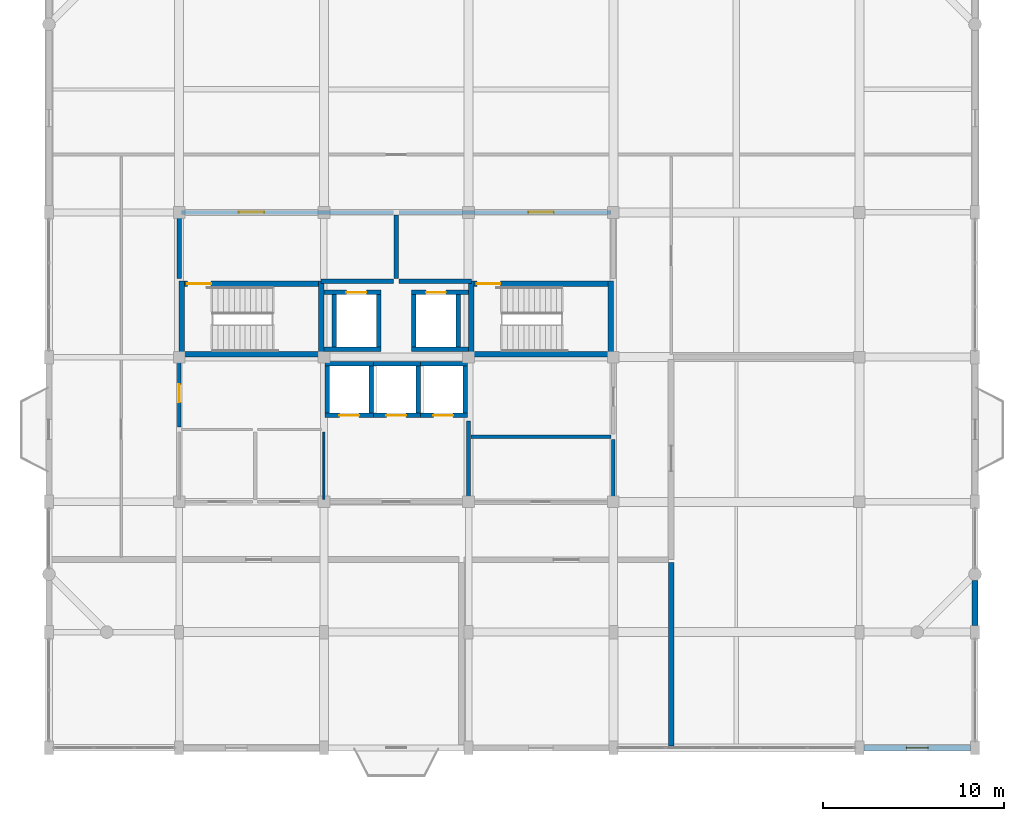
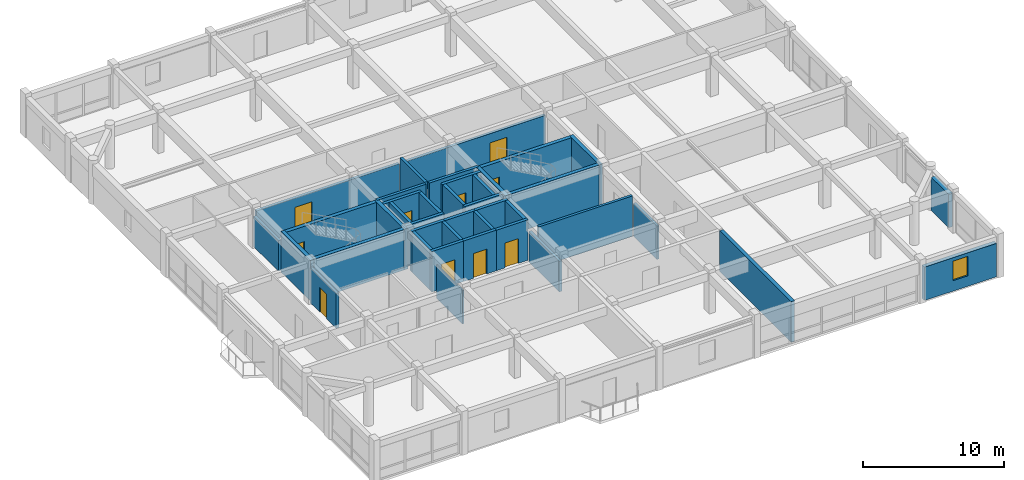
# One storey, part 11 of 13: 40 walls, 10 doors, 1 window, 11 openings.
"""IFC4 building model written with IfcOpenShell, lengths in metres."""

from ifc_helpers import new_model, si_unit, direction, frame, frame_2d, origin, place, context, subcontext, project, spatial, rectangle, extrude, material, layer, layer_set, type_object, element, fill, save


model = new_model("IFC4")

# Units and contexts
model_context = context("Model", 3, precision=1e-05, world=origin(), true_north=direction((0.0, 1.0)))
body_context = subcontext(model_context, "Body", "Model", "MODEL_VIEW")
ifc_project = project(units=[si_unit("LENGTHUNIT", "METRE"), si_unit("AREAUNIT", "SQUARE_METRE"), si_unit("VOLUMEUNIT", "CUBIC_METRE"), si_unit("PLANEANGLEUNIT", "RADIAN"), si_unit("MASSUNIT", "GRAM", prefix="KILO")], contexts=[model_context])

# Site, building, storey
site_placement = place(None, origin())
site = spatial("IfcSite", under=ifc_project, at=site_placement, CompositionType="ELEMENT")
building_placement = place(site_placement, origin())
building = spatial("IfcBuilding", under=site, at=building_placement, Name="Vellmiral Cinema and Media Centre", CompositionType="ELEMENT")
storey_placement = place(building_placement, frame((0.0, 0.0, 43.300048828125)))
storey = spatial("IfcBuildingStorey", under=building, at=storey_placement, Name="L10", CompositionType="ELEMENT", Elevation=43.300048828125)

# Wall
ifc_material_1 = material(Name="Calcium-Silicate Masonry Blockwork", Category="masonry")
ifc_layer_1 = layer(ifc_material_1, 0.10009765625, Name="Calcium-Silicate Masonry Blockwork", Category="masonry")
ifc_material_2 = material(Name="Mineral Wool Acoustic Insulation", Category="insulation")
ifc_layer_2 = layer(ifc_material_2, 0.090087890625, Name="Mineral Wool Acoustic Insulation", Category="insulation")
ifc_layer_3 = layer(ifc_material_1, 0.10009765625, Name="Calcium-Silicate Masonry Blockwork", Category="masonry")
ifc_layer_set_1 = layer_set([ifc_layer_1, ifc_layer_2, ifc_layer_3], Name="Calcium-Silicate Masonry Blockwork")
wall_type_1 = type_object("IfcWallType", Name="WL-AC-290", PredefinedType="SOLIDWALL", material=ifc_layer_set_1)
wall_1_placement = place(storey_placement, frame((151.199951171875, 65.695068359375, 0.0), z_axis=(0.0, 0.0, 1.0), x_axis=(0.0, 1.0, 0.0)))
element("IfcWall", 1, at=wall_1_placement, inside=storey, type_object=wall_type_1, Name="Podcast Recording Studio South Wall E", PredefinedType="SOLIDWALL", context=body_context, shape_type="SweptSolid", body=[
    extrude(rectangle(XDim=10.1650390625, YDim=0.2900390625, at=frame_2d((5.08251953125, 0.0))), origin(), (0.0, 0.0, 1.0), 3.52001953125),
])

# Wall, opening, door
ifc_material_3 = material(Name="Concrete C40/50", Category="concrete")
ifc_layer_4 = layer(ifc_material_3, 0.2099609375, Name="Concrete C40/50")
ifc_layer_set_2 = layer_set([ifc_layer_4], Name="Concrete C40/50")
wall_type_2 = type_object("IfcWallType", Name="WL-COMP-210", PredefinedType="SOLIDWALL", material=ifc_layer_set_2)
wall_2_placement = place(storey_placement, frame((124.0, 83.340087890625, 0.0), z_axis=(0.0, 0.0, 1.0), x_axis=(0.0, 1.0, 0.0)))
wall_2 = element("IfcWall", 2, at=wall_2_placement, inside=storey, type_object=wall_type_2, Name="Electrical and Telecom Riser Room Wall W", PredefinedType="SOLIDWALL", context=body_context, shape_type="SweptSolid", body=[
    extrude(rectangle(XDim=3.719970703125, YDim=0.2099609375, at=frame_2d((1.85986328125, 0.0))), origin(), (0.0, 0.0, 1.0), 3.044921875),
])
opening_1_placement = place(wall_2_placement, frame((1.360107421875, 0.0, 0.0)))
opening_1 = element("IfcOpeningElement", 3, at=opening_1_placement, cuts=wall_2, Name="Opening D-FD30B", PredefinedType="OPENING", context=body_context, shape_type="SweptSolid", body=[
    extrude(rectangle(XDim=1.0, YDim=2.14990234375, at=frame_2d((0.5, 1.074951171875))), frame((0.0, 0.116943359375, 0.0), z_axis=(0.0, -1.0, 0.0), x_axis=(1.0, 0.0, 0.0)), (0.0, 0.0, 1.0), 0.23388671875),
])
ifc_material_4 = material(Name="Steel Riser Fire Door", Category="steel")
door_type_1 = type_object("IfcDoorType", Name="DR-FD30-1000x2150", OperationType="NOTDEFINED", PredefinedType="DOOR", material=ifc_material_4)
door_1_placement = place(opening_1_placement, frame((1.0, 0.0, 0.0), z_axis=(0.0, 0.0, 1.0), x_axis=(-1.0, 0.0, 0.0)))
door_1 = element("IfcDoor", 4, at=door_1_placement, inside=storey, type_object=door_type_1, Name="Electrical and Telecom Riser Room Door", OperationType="SINGLE_SWING_LEFT", OverallHeight=2.14990234375, OverallWidth=1.0, PredefinedType="DOOR", context=body_context, shape_type="SweptSolid", body=[
    extrude(rectangle(XDim=1.0, YDim=2.14990234375, at=frame_2d((0.5, 1.074951171875))), frame((0.0, 0.02490234375, 0.0), z_axis=(0.0, -1.0, 0.0), x_axis=(1.0, 0.0, 0.0)), (0.0, 0.0, 1.0), 0.050048828125),
])
fill(opening_1, door_1)

# Walls
wall_3_placement = place(storey_placement, frame((140.139892578125, 82.800048828125, 0.0), z_axis=(0.0, 0.0, 1.0), x_axis=(1.0, 0.0, 0.0)))
element("IfcWall", 5, at=wall_3_placement, inside=storey, type_object=wall_type_2, Name="Data Patch and Riser Room Wall S", PredefinedType="SOLIDWALL", context=body_context, shape_type="SweptSolid", body=[
    extrude(rectangle(XDim=7.72021484375, YDim=0.2099609375, at=frame_2d((3.860107421875, 0.0))), origin(), (0.0, 0.0, 1.0), 3.52001953125),
])
ifc_material_5 = material(Name="Concrete C40/50", Category="concrete")
ifc_layer_5 = layer(ifc_material_5, 0.300048828125, Name="Concrete C40/50")
ifc_layer_set_3 = layer_set([ifc_layer_5], Name="Concrete C40/50")
wall_type_3 = type_object("IfcWallType", Name="WL-CORE-300", PredefinedType="SHEAR", material=ifc_layer_set_3)
for number, where, z_axis, x_axis, name in (
    (6, (124.14990234375, 87.199951171875, 0.0), (0.0, 0.0, 1.0), (0.0, 1.0, 0.0), "Stair Core Wall ST-T1 L10-W"),
    (7, (131.85009765625, 87.199951171875, 0.0), (0.0, 0.0, 1.0), (0.0, 1.0, 0.0), "Stair Core Wall ST-T1 L10-E"),
):
    element("IfcWall", number, at=place(storey_placement, frame(where, z_axis=z_axis, x_axis=x_axis)), inside=storey, type_object=wall_type_3, Name=name, PredefinedType="SHEAR", context=body_context, shape_type="SweptSolid", body=[
        extrude(rectangle(XDim=4.199951171875, YDim=0.300048828125, at=frame_2d((2.10009765625, 0.0))), origin(), (0.0, 0.0, 1.0), 3.52001953125),
    ])
wall_4_placement = place(storey_placement, frame((124.300048828125, 87.35009765625, 0.0), z_axis=(0.0, 0.0, 1.0), x_axis=(1.0, 0.0, 0.0)))
element("IfcWall", 8, at=wall_4_placement, inside=storey, type_object=wall_type_3, Name="Stair Core Wall ST-T1 L10-S", PredefinedType="SHEAR", context=body_context, shape_type="SweptSolid", body=[
    extrude(rectangle(XDim=7.39990234375, YDim=0.300048828125, at=frame_2d((3.699951171875, 0.0))), origin(), (0.0, 0.0, 1.0), 3.52001953125),
])

# Wall, opening, door
wall_5_placement = place(storey_placement, frame((124.300048828125, 91.25, 0.0), z_axis=(0.0, 0.0, 1.0), x_axis=(1.0, 0.0, 0.0)))
wall_5 = element("IfcWall", 9, at=wall_5_placement, inside=storey, type_object=wall_type_3, Name="Stair Core Wall ST-T1 L10-N", PredefinedType="SHEAR", context=body_context, shape_type="SweptSolid", body=[
    extrude(rectangle(XDim=7.39990234375, YDim=0.300048828125, at=frame_2d((3.699951171875, 0.0))), origin(), (0.0, 0.0, 1.0), 3.52001953125),
])
opening_2_placement = place(wall_5_placement, frame((0.159912109375, 0.0, 0.0)))
opening_2 = element("IfcOpeningElement", 10, at=opening_2_placement, cuts=wall_5, Name="Opening D-FD30A", PredefinedType="OPENING", context=body_context, shape_type="SweptSolid", body=[
    extrude(rectangle(XDim=1.300048828125, YDim=2.179931640625, at=frame_2d((0.64990234375, 1.08984375))), frame((0.0, 0.162109375, 0.0), z_axis=(0.0, -1.0, 0.0), x_axis=(1.0, 0.0, 0.0)), (0.0, 0.0, 1.0), 0.323974609375),
])
ifc_material_6 = material(Name="Steel Stair Fire Door", Category="steel")
door_type_2 = type_object("IfcDoorType", Name="DR-FD30-1300x2180", OperationType="NOTDEFINED", PredefinedType="DOOR", material=ifc_material_6)
door_2_placement = place(opening_2_placement, frame((1.300048828125, 0.0, 0.0), z_axis=(0.0, 0.0, 1.0), x_axis=(-1.0, 0.0, 0.0)))
door_2 = element("IfcDoor", 11, at=door_2_placement, inside=storey, type_object=door_type_2, Name="Protected Stair Door ST-T1 L10", OperationType="SINGLE_SWING_RIGHT", OverallHeight=2.179931640625, OverallWidth=1.300048828125, PredefinedType="DOOR", context=body_context, shape_type="SweptSolid", body=[
    extrude(rectangle(XDim=1.300048828125, YDim=2.179931640625, at=frame_2d((0.64990234375, 1.08984375))), frame((0.0, 0.02490234375, 0.0), z_axis=(0.0, -1.0, 0.0), x_axis=(1.0, 0.0, 0.0)), (0.0, 0.0, 1.0), 0.050048828125),
])
fill(opening_2, door_2)

# Walls
for number, where, z_axis, x_axis, name in (
    (12, (140.14990234375, 87.199951171875, 0.0), (0.0, 0.0, 1.0), (0.0, 1.0, 0.0), "Stair Core Wall ST-T2 L10-W"),
    (13, (147.85009765625, 87.199951171875, 0.0), (0.0, 0.0, 1.0), (0.0, 1.0, 0.0), "Stair Core Wall ST-T2 L10-E"),
):
    element("IfcWall", number, at=place(storey_placement, frame(where, z_axis=z_axis, x_axis=x_axis)), inside=storey, type_object=wall_type_3, Name=name, PredefinedType="SHEAR", context=body_context, shape_type="SweptSolid", body=[
        extrude(rectangle(XDim=4.199951171875, YDim=0.300048828125, at=frame_2d((2.10009765625, 0.0))), origin(), (0.0, 0.0, 1.0), 3.52001953125),
    ])
wall_6_placement = place(storey_placement, frame((140.300048828125, 87.35009765625, 0.0), z_axis=(0.0, 0.0, 1.0), x_axis=(1.0, 0.0, 0.0)))
element("IfcWall", 14, at=wall_6_placement, inside=storey, type_object=wall_type_3, Name="Stair Core Wall ST-T2 L10-S", PredefinedType="SHEAR", context=body_context, shape_type="SweptSolid", body=[
    extrude(rectangle(XDim=7.39990234375, YDim=0.300048828125, at=frame_2d((3.699951171875, 0.0))), origin(), (0.0, 0.0, 1.0), 3.52001953125),
])

# Wall, opening, door
wall_7_placement = place(storey_placement, frame((140.300048828125, 91.25, 0.0), z_axis=(0.0, 0.0, 1.0), x_axis=(1.0, 0.0, 0.0)))
wall_7 = element("IfcWall", 15, at=wall_7_placement, inside=storey, type_object=wall_type_3, Name="Stair Core Wall ST-T2 L10-N", PredefinedType="SHEAR", context=body_context, shape_type="SweptSolid", body=[
    extrude(rectangle(XDim=7.39990234375, YDim=0.300048828125, at=frame_2d((3.699951171875, 0.0))), origin(), (0.0, 0.0, 1.0), 3.52001953125),
])
opening_3_placement = place(wall_7_placement, frame((0.159912109375, 0.0, 0.0)))
opening_3 = element("IfcOpeningElement", 16, at=opening_3_placement, cuts=wall_7, Name="Opening D-FD30A", PredefinedType="OPENING", context=body_context, shape_type="SweptSolid", body=[
    extrude(rectangle(XDim=1.300048828125, YDim=2.179931640625, at=frame_2d((0.64990234375, 1.08984375))), frame((0.0, 0.162109375, 0.0), z_axis=(0.0, -1.0, 0.0), x_axis=(1.0, 0.0, 0.0)), (0.0, 0.0, 1.0), 0.323974609375),
])
door_3_placement = place(opening_3_placement, frame((1.300048828125, 0.0, 0.0), z_axis=(0.0, 0.0, 1.0), x_axis=(-1.0, 0.0, 0.0)))
door_3 = element("IfcDoor", 17, at=door_3_placement, inside=storey, type_object=door_type_2, Name="Protected Stair Door ST-T2 L10", OperationType="SINGLE_SWING_RIGHT", OverallHeight=2.179931640625, OverallWidth=1.300048828125, PredefinedType="DOOR", context=body_context, shape_type="SweptSolid", body=[
    extrude(rectangle(XDim=1.300048828125, YDim=2.179931640625, at=frame_2d((0.64990234375, 1.08984375))), frame((0.0, 0.02490234375, 0.0), z_axis=(0.0, -1.0, 0.0), x_axis=(1.0, 0.0, 0.0)), (0.0, 0.0, 1.0), 0.050048828125),
])
fill(opening_3, door_3)

# Wall, opening, window
ifc_material_7 = material(Name="Vosges Red Sandstone Masonry", Category="masonry")
ifc_layer_6 = layer(ifc_material_7, 0.340087890625, Name="Vosges Red Sandstone Masonry")
ifc_layer_set_4 = layer_set([ifc_layer_6], Name="Vosges Red Sandstone Masonry")
wall_type_4 = type_object("IfcWallType", Name="WL-EXT-SAND-340", PredefinedType="SOLIDWALL", material=ifc_layer_set_4)
wall_8_placement = place(storey_placement, frame((161.85009765625, 65.60009765625, 0.0), z_axis=(0.0, 0.0, 1.0), x_axis=(1.0, 0.0, 0.0)))
wall_8 = element("IfcWall", 18, at=wall_8_placement, inside=storey, type_object=wall_type_4, Name="Exterior Facade Wall L10-006", PredefinedType="SOLIDWALL", context=body_context, shape_type="SweptSolid", body=[
    extrude(rectangle(XDim=5.89990234375, YDim=0.340087890625, at=frame_2d((2.949951171875, 0.0))), origin(), (0.0, 0.0, 1.0), 2.89990234375),
])
opening_4_placement = place(wall_8_placement, frame((2.35009765625, 0.0, 0.89990234375)))
opening_4 = element("IfcOpeningElement", 19, at=opening_4_placement, cuts=wall_8, Name="Opening WN-10", PredefinedType="OPENING", context=body_context, shape_type="SweptSolid", body=[
    extrude(rectangle(XDim=1.199951171875, YDim=1.699951171875, at=frame_2d((0.60009765625, 0.85009765625))), frame((0.0, 0.18212890625, 0.0), z_axis=(0.0, -1.0, 0.0), x_axis=(1.0, 0.0, 0.0)), (0.0, 0.0, 1.0), 0.364013671875),
])
ifc_material_8 = material(Name="Thermally Broken Aluminium Triple Glazing", Category="aluminium")
window_type = type_object("IfcWindowType", Name="WN-1200x1700", PartitioningType="SINGLE_PANEL", PredefinedType="WINDOW", material=ifc_material_8)
window_placement = place(opening_4_placement, origin())
window = element("IfcWindow", 20, at=window_placement, inside=storey, type_object=window_type, Name="Window L10-006", OverallHeight=1.699951171875, OverallWidth=1.199951171875, PartitioningType="SINGLE_PANEL", PredefinedType="WINDOW", context=body_context, shape_type="SweptSolid", body=[
    extrude(rectangle(XDim=1.199951171875, YDim=1.699951171875, at=frame_2d((0.60009765625, 0.85009765625))), frame((0.0, 0.030029296875, 0.0), z_axis=(0.0, -1.0, 0.0), x_axis=(1.0, 0.0, 0.0)), (0.0, 0.0, 1.0), 0.06005859375),
])
fill(opening_4, window)

# Walls
wall_9_placement = place(storey_placement, frame((168.0, 72.375, 0.0), z_axis=(0.0, 0.0, 1.0), x_axis=(0.0, 1.0, 0.0)))
element("IfcWall", 21, at=wall_9_placement, inside=storey, type_object=wall_type_4, Name="Exterior Facade Wall L10-008", PredefinedType="SOLIDWALL", context=body_context, shape_type="SweptSolid", body=[
    extrude(rectangle(XDim=2.47509765625, YDim=0.340087890625, at=frame_2d((1.237548828125, 0.0))), origin(), (0.0, 0.0, 1.0), 2.89990234375),
])
ifc_material_9 = material(Name="Concrete C40/50", Category="concrete")
ifc_layer_7 = layer(ifc_material_9, 0.22998046875, Name="Concrete C40/50")
ifc_layer_set_5 = layer_set([ifc_layer_7], Name="Concrete C40/50")
wall_type_5 = type_object("IfcWallType", Name="WL-FFL-230", PredefinedType="SOLIDWALL", material=ifc_layer_set_5)
wall_10_placement = place(storey_placement, frame((131.840087890625, 91.39990234375, 0.0), z_axis=(0.0, 0.0, 1.0), x_axis=(1.0, 0.0, 0.0)))
element("IfcWall", 22, at=wall_10_placement, inside=storey, type_object=wall_type_5, Name="Firefighting Lobby West Wall S", PredefinedType="SOLIDWALL", context=body_context, shape_type="SweptSolid", body=[
    extrude(rectangle(XDim=4.02001953125, YDim=0.22998046875, at=frame_2d((2.010009765625, 0.0))), origin(), (0.0, 0.0, 1.0), 3.52001953125),
])

# Wall, opening, door
wall_11_placement = place(storey_placement, frame((124.139892578125, 95.199951171875, 0.0), z_axis=(0.0, 0.0, 1.0), x_axis=(1.0, 0.0, 0.0)))
wall_11 = element("IfcWall", 23, at=wall_11_placement, inside=storey, type_object=wall_type_5, Name="Firefighting Lobby West Wall N", PredefinedType="SOLIDWALL", context=body_context, shape_type="SweptSolid", body=[
    extrude(rectangle(XDim=11.72021484375, YDim=0.22998046875, at=frame_2d((5.860107421875, 0.0))), origin(), (0.0, 0.0, 1.0), 2.994873046875),
])
opening_5_placement = place(wall_11_placement, frame((3.159912109375, 0.0, 0.0)))
opening_5 = element("IfcOpeningElement", 24, at=opening_5_placement, cuts=wall_11, Name="Opening D-FD60B", PredefinedType="OPENING", context=body_context, shape_type="SweptSolid", body=[
    extrude(rectangle(XDim=1.39990234375, YDim=2.199951171875, at=frame_2d((0.699951171875, 1.10009765625))), frame((0.0, 0.126953125, 0.0), z_axis=(0.0, -1.0, 0.0), x_axis=(1.0, 0.0, 0.0)), (0.0, 0.0, 1.0), 0.25390625),
])
ifc_material_10 = material(Name="Steel Fire Door", Category="steel")
door_type_3 = type_object("IfcDoorType", Name="DR-FD60-1400x2200", OperationType="NOTDEFINED", PredefinedType="DOOR", material=ifc_material_10)
door_4_placement = place(opening_5_placement, frame((1.39990234375, 0.0, 0.0), z_axis=(0.0, 0.0, 1.0), x_axis=(-1.0, 0.0, 0.0)))
door_4 = element("IfcDoor", 25, at=door_4_placement, inside=storey, type_object=door_type_3, Name="Firefighting Lobby West Door", OperationType="SINGLE_SWING_RIGHT", OverallHeight=2.199951171875, OverallWidth=1.39990234375, PredefinedType="DOOR", context=body_context, shape_type="SweptSolid", body=[
    extrude(rectangle(XDim=1.39990234375, YDim=2.199951171875, at=frame_2d((0.699951171875, 1.10009765625))), frame((0.0, 0.02490234375, 0.0), z_axis=(0.0, -1.0, 0.0), x_axis=(1.0, 0.0, 0.0)), (0.0, 0.0, 1.0), 0.050048828125),
])
fill(opening_5, door_4)

# Walls
wall_12_placement = place(storey_placement, frame((124.0, 91.5400390625, 0.0), z_axis=(0.0, 0.0, 1.0), x_axis=(0.0, 1.0, 0.0)))
element("IfcWall", 26, at=wall_12_placement, inside=storey, type_object=wall_type_5, Name="Firefighting Lobby West Wall W", PredefinedType="SOLIDWALL", context=body_context, shape_type="SweptSolid", body=[
    extrude(rectangle(XDim=3.52001953125, YDim=0.22998046875, at=frame_2d((1.760009765625, 0.0))), origin(), (0.0, 0.0, 1.0), 2.64501953125),
])
wall_13_placement = place(storey_placement, frame((136.0, 91.5400390625, 0.0), z_axis=(0.0, 0.0, 1.0), x_axis=(0.0, 1.0, 0.0)))
element("IfcWall", 27, at=wall_13_placement, inside=storey, type_object=wall_type_5, Name="Firefighting Lobby West Wall E", PredefinedType="SOLIDWALL", context=body_context, shape_type="SweptSolid", body=[
    extrude(rectangle(XDim=3.52001953125, YDim=0.22998046875, at=frame_2d((1.760009765625, 0.0))), origin(), (0.0, 0.0, 1.0), 3.52001953125),
])
wall_14_placement = place(storey_placement, frame((136.139892578125, 91.39990234375, 0.0), z_axis=(0.0, 0.0, 1.0), x_axis=(1.0, 0.0, 0.0)))
element("IfcWall", 28, at=wall_14_placement, inside=storey, type_object=wall_type_5, Name="Firefighting Lobby East Wall S", PredefinedType="SOLIDWALL", context=body_context, shape_type="SweptSolid", body=[
    extrude(rectangle(XDim=4.02001953125, YDim=0.22998046875, at=frame_2d((2.010009765625, 0.0))), origin(), (0.0, 0.0, 1.0), 3.52001953125),
])

# Wall, opening, door
wall_15_placement = place(storey_placement, frame((136.139892578125, 95.199951171875, 0.0), z_axis=(0.0, 0.0, 1.0), x_axis=(1.0, 0.0, 0.0)))
wall_15 = element("IfcWall", 29, at=wall_15_placement, inside=storey, type_object=wall_type_5, Name="Firefighting Lobby East Wall N", PredefinedType="SOLIDWALL", context=body_context, shape_type="SweptSolid", body=[
    extrude(rectangle(XDim=11.72021484375, YDim=0.22998046875, at=frame_2d((5.860107421875, 0.0))), origin(), (0.0, 0.0, 1.0), 2.994873046875),
])
opening_6_placement = place(wall_15_placement, frame((7.159912109375, 0.0, 0.0)))
opening_6 = element("IfcOpeningElement", 30, at=opening_6_placement, cuts=wall_15, Name="Opening D-FD60B", PredefinedType="OPENING", context=body_context, shape_type="SweptSolid", body=[
    extrude(rectangle(XDim=1.39990234375, YDim=2.199951171875, at=frame_2d((0.699951171875, 1.10009765625))), frame((0.0, 0.126953125, 0.0), z_axis=(0.0, -1.0, 0.0), x_axis=(1.0, 0.0, 0.0)), (0.0, 0.0, 1.0), 0.25390625),
])
door_5_placement = place(opening_6_placement, frame((1.39990234375, 0.0, 0.0), z_axis=(0.0, 0.0, 1.0), x_axis=(-1.0, 0.0, 0.0)))
door_5 = element("IfcDoor", 31, at=door_5_placement, inside=storey, type_object=door_type_3, Name="Firefighting Lobby East Door", OperationType="SINGLE_SWING_LEFT", OverallHeight=2.199951171875, OverallWidth=1.39990234375, PredefinedType="DOOR", context=body_context, shape_type="SweptSolid", body=[
    extrude(rectangle(XDim=1.39990234375, YDim=2.199951171875, at=frame_2d((0.699951171875, 1.10009765625))), frame((0.0, 0.02490234375, 0.0), z_axis=(0.0, -1.0, 0.0), x_axis=(1.0, 0.0, 0.0)), (0.0, 0.0, 1.0), 0.050048828125),
])
fill(opening_6, door_5)

# Walls
wall_16_placement = place(storey_placement, frame((140.0, 79.340087890625, 0.0), z_axis=(0.0, 0.0, 1.0), x_axis=(0.0, 1.0, 0.0)))
element("IfcWall", 32, at=wall_16_placement, inside=storey, type_object=wall_type_5, Name="Tower Passenger Lift Lobby Wall E", PredefinedType="SOLIDWALL", context=body_context, shape_type="SweptSolid", body=[
    extrude(rectangle(XDim=4.31982421875, YDim=0.22998046875, at=frame_2d((2.159912109375, 0.0))), origin(), (0.0, 0.0, 1.0), 2.64501953125),
])
ifc_material_11 = material(Name="Gypsum Plasterboard")
ifc_layer_8 = layer(ifc_material_11, 0.02490234375, Name="Gypsum Plasterboard", Category="gypsum")
ifc_material_12 = material(Name="Mineral Wool Acoustic Insulation", Category="insulation")
ifc_layer_9 = layer(ifc_material_12, 0.06005859375, Name="Mineral Wool Acoustic Insulation", Category="insulation")
ifc_layer_10 = layer(ifc_material_11, 0.02490234375, Name="Gypsum Plasterboard", Category="gypsum")
ifc_layer_set_6 = layer_set([ifc_layer_8, ifc_layer_9, ifc_layer_10], Name="Gypsum Plasterboard")
wall_type_6 = type_object("IfcWallType", Name="WL-PART-110", PredefinedType="PARTITIONING", material=ifc_layer_set_6)
wall_17_placement = place(storey_placement, frame((132.0, 79.340087890625, 0.0), z_axis=(0.0, 0.0, 1.0), x_axis=(0.0, 1.0, 0.0)))
element("IfcWall", 33, at=wall_17_placement, inside=storey, type_object=wall_type_6, Name="Accessible WC Wall E", PredefinedType="PARTITIONING", context=body_context, shape_type="SweptSolid", body=[
    extrude(rectangle(XDim=3.719970703125, YDim=0.110107421875, at=frame_2d((1.85986328125, 0.0))), origin(), (0.0, 0.0, 1.0), 2.89501953125),
])
ifc_material_13 = material(Name="Gypsum Plasterboard")
ifc_layer_11 = layer(ifc_material_13, 0.02490234375, Name="Gypsum Plasterboard", Category="gypsum")
ifc_material_14 = material(Name="Mineral Wool Acoustic Insulation", Category="insulation")
ifc_layer_12 = layer(ifc_material_14, 0.139892578125, Name="Mineral Wool Acoustic Insulation", Category="insulation")
ifc_layer_13 = layer(ifc_material_13, 0.02490234375, Name="Gypsum Plasterboard", Category="gypsum")
ifc_layer_set_7 = layer_set([ifc_layer_11, ifc_layer_12, ifc_layer_13], Name="Gypsum Plasterboard")
wall_type_7 = type_object("IfcWallType", Name="WL-PART-190", PredefinedType="PARTITIONING", material=ifc_layer_set_7)
wall_18_placement = place(storey_placement, frame((148.0, 79.340087890625, 0.0), z_axis=(0.0, 0.0, 1.0), x_axis=(0.0, 1.0, 0.0)))
element("IfcWall", 34, at=wall_18_placement, inside=storey, type_object=wall_type_7, Name="Print and Archive Copy Room Wall E", PredefinedType="PARTITIONING", context=body_context, shape_type="SweptSolid", body=[
    extrude(rectangle(XDim=3.31982421875, YDim=0.18994140625, at=frame_2d((1.659912109375, 0.0))), origin(), (0.0, 0.0, 1.0), 2.89501953125),
])
ifc_material_15 = material(Name="Concrete C40/50", Category="concrete")
ifc_layer_14 = layer(ifc_material_15, 0.25, Name="Concrete C40/50")
ifc_layer_set_8 = layer_set([ifc_layer_14], Name="Concrete C40/50")
wall_type_8 = type_object("IfcWallType", Name="WL-SHAFT-250", PredefinedType="SHEAR", material=ifc_layer_set_8)
wall_19_placement = place(storey_placement, frame((132.0, 87.625, 0.0), z_axis=(0.0, 0.0, 1.0), x_axis=(1.0, 0.0, 0.0)))
element("IfcWall", 35, at=wall_19_placement, inside=storey, type_object=wall_type_8, Name="Lift Shaft Wall LF-FF1 L10-S", PredefinedType="SHEAR", context=body_context, shape_type="SweptSolid", body=[
    extrude(rectangle(XDim=3.14990234375, YDim=0.25, at=frame_2d((1.574951171875, 0.0))), origin(), (0.0, 0.0, 1.0), 3.52001953125),
])

# Wall, opening, door
wall_20_placement = place(storey_placement, frame((132.0, 90.77490234375, 0.0), z_axis=(0.0, 0.0, 1.0), x_axis=(1.0, 0.0, 0.0)))
wall_20 = element("IfcWall", 36, at=wall_20_placement, inside=storey, type_object=wall_type_8, Name="Lift Shaft Wall LF-FF1 L10-N", PredefinedType="SHEAR", context=body_context, shape_type="SweptSolid", body=[
    extrude(rectangle(XDim=3.14990234375, YDim=0.25, at=frame_2d((1.574951171875, 0.0))), origin(), (0.0, 0.0, 1.0), 3.52001953125),
])
opening_7_placement = place(wall_20_placement, frame((1.25, 0.0, 0.0)))
opening_7 = element("IfcOpeningElement", 37, at=opening_7_placement, cuts=wall_20, Name="Opening LD-01", PredefinedType="OPENING", context=body_context, shape_type="SweptSolid", body=[
    extrude(rectangle(XDim=1.10009765625, YDim=2.14990234375, at=frame_2d((0.550048828125, 1.074951171875))), frame((0.0, 0.136962890625, 0.0), z_axis=(0.0, -1.0, 0.0), x_axis=(1.0, 0.0, 0.0)), (0.0, 0.0, 1.0), 0.27392578125),
])
ifc_material_16 = material(Name="Stainless Steel Lift Landing Door", Category="steel")
door_type_4 = type_object("IfcDoorType", Name="DR-LIFT-1100x2150", OperationType="SLIDING_TO_LEFT", PredefinedType="DOOR", material=ifc_material_16)
door_6_placement = place(opening_7_placement, origin())
door_6 = element("IfcDoor", 38, at=door_6_placement, inside=storey, type_object=door_type_4, Name="Lift Landing Door LF-FF1 L10", OperationType="SLIDING_TO_LEFT", OverallHeight=2.14990234375, OverallWidth=1.10009765625, PredefinedType="DOOR", context=body_context, shape_type="SweptSolid", body=[
    extrude(rectangle(XDim=1.10009765625, YDim=2.14990234375, at=frame_2d((0.550048828125, 1.074951171875))), frame((0.0, 0.02490234375, 0.0), z_axis=(0.0, -1.0, 0.0), x_axis=(1.0, 0.0, 0.0)), (0.0, 0.0, 1.0), 0.050048828125),
])
fill(opening_7, door_6)

# Walls
for number, where, z_axis, x_axis, name in (
    (39, (132.574951171875, 87.75, 0.0), (0.0, 0.0, 1.0), (0.0, 1.0, 0.0), "Lift Shaft Wall LF-FF1 L10-W"),
    (40, (135.02490234375, 87.75, 0.0), (0.0, 0.0, 1.0), (0.0, 1.0, 0.0), "Lift Shaft Wall LF-FF1 L10-E"),
):
    element("IfcWall", number, at=place(storey_placement, frame(where, z_axis=z_axis, x_axis=x_axis)), inside=storey, type_object=wall_type_8, Name=name, PredefinedType="SHEAR", context=body_context, shape_type="SweptSolid", body=[
        extrude(rectangle(XDim=2.89990234375, YDim=0.25, at=frame_2d((1.449951171875, 0.0))), origin(), (0.0, 0.0, 1.0), 3.52001953125),
    ])
wall_21_placement = place(storey_placement, frame((136.85009765625, 87.625, 0.0), z_axis=(0.0, 0.0, 1.0), x_axis=(1.0, 0.0, 0.0)))
element("IfcWall", 41, at=wall_21_placement, inside=storey, type_object=wall_type_8, Name="Lift Shaft Wall LF-FF2 L10-S", PredefinedType="SHEAR", context=body_context, shape_type="SweptSolid", body=[
    extrude(rectangle(XDim=3.14990234375, YDim=0.25, at=frame_2d((1.574951171875, 0.0))), origin(), (0.0, 0.0, 1.0), 3.52001953125),
])

# Wall, opening, door
wall_22_placement = place(storey_placement, frame((136.85009765625, 90.77490234375, 0.0), z_axis=(0.0, 0.0, 1.0), x_axis=(1.0, 0.0, 0.0)))
wall_22 = element("IfcWall", 42, at=wall_22_placement, inside=storey, type_object=wall_type_8, Name="Lift Shaft Wall LF-FF2 L10-N", PredefinedType="SHEAR", context=body_context, shape_type="SweptSolid", body=[
    extrude(rectangle(XDim=3.14990234375, YDim=0.25, at=frame_2d((1.574951171875, 0.0))), origin(), (0.0, 0.0, 1.0), 3.52001953125),
])
opening_8_placement = place(wall_22_placement, frame((0.800048828125, 0.0, 0.0)))
opening_8 = element("IfcOpeningElement", 43, at=opening_8_placement, cuts=wall_22, Name="Opening LD-01", PredefinedType="OPENING", context=body_context, shape_type="SweptSolid", body=[
    extrude(rectangle(XDim=1.10009765625, YDim=2.14990234375, at=frame_2d((0.550048828125, 1.074951171875))), frame((0.0, 0.136962890625, 0.0), z_axis=(0.0, -1.0, 0.0), x_axis=(1.0, 0.0, 0.0)), (0.0, 0.0, 1.0), 0.27392578125),
])
door_7_placement = place(opening_8_placement, origin())
door_7 = element("IfcDoor", 44, at=door_7_placement, inside=storey, type_object=door_type_4, Name="Lift Landing Door LF-FF2 L10", OperationType="SLIDING_TO_LEFT", OverallHeight=2.14990234375, OverallWidth=1.10009765625, PredefinedType="DOOR", context=body_context, shape_type="SweptSolid", body=[
    extrude(rectangle(XDim=1.10009765625, YDim=2.14990234375, at=frame_2d((0.550048828125, 1.074951171875))), frame((0.0, 0.02490234375, 0.0), z_axis=(0.0, -1.0, 0.0), x_axis=(1.0, 0.0, 0.0)), (0.0, 0.0, 1.0), 0.050048828125),
])
fill(opening_8, door_7)

# Walls
for number, where, z_axis, x_axis, name in (
    (45, (136.97509765625, 87.75, 0.0), (0.0, 0.0, 1.0), (0.0, 1.0, 0.0), "Lift Shaft Wall LF-FF2 L10-W"),
    (46, (139.425048828125, 87.75, 0.0), (0.0, 0.0, 1.0), (0.0, 1.0, 0.0), "Lift Shaft Wall LF-FF2 L10-E"),
):
    element("IfcWall", number, at=place(storey_placement, frame(where, z_axis=z_axis, x_axis=x_axis)), inside=storey, type_object=wall_type_8, Name=name, PredefinedType="SHEAR", context=body_context, shape_type="SweptSolid", body=[
        extrude(rectangle(XDim=2.89990234375, YDim=0.25, at=frame_2d((1.449951171875, 0.0))), origin(), (0.0, 0.0, 1.0), 3.52001953125),
    ])

# Wall, opening, door
wall_23_placement = place(storey_placement, frame((132.050048828125, 83.97509765625, 0.0), z_axis=(0.0, 0.0, 1.0), x_axis=(1.0, 0.0, 0.0)))
wall_23 = element("IfcWall", 47, at=wall_23_placement, inside=storey, type_object=wall_type_8, Name="Lift Shaft Wall LF-P1 L10-S", PredefinedType="SHEAR", context=body_context, shape_type="SweptSolid", body=[
    extrude(rectangle(XDim=2.699951171875, YDim=0.25, at=frame_2d((1.35009765625, 0.0))), origin(), (0.0, 0.0, 1.0), 3.52001953125),
])
opening_9_placement = place(wall_23_placement, frame((0.800048828125, 0.0, 0.0)))
opening_9 = element("IfcOpeningElement", 48, at=opening_9_placement, cuts=wall_23, Name="Opening LD-01", PredefinedType="OPENING", context=body_context, shape_type="SweptSolid", body=[
    extrude(rectangle(XDim=1.10009765625, YDim=2.14990234375, at=frame_2d((0.550048828125, 1.074951171875))), frame((0.0, 0.136962890625, 0.0), z_axis=(0.0, -1.0, 0.0), x_axis=(1.0, 0.0, 0.0)), (0.0, 0.0, 1.0), 0.27392578125),
])
door_8_placement = place(opening_9_placement, origin())
door_8 = element("IfcDoor", 49, at=door_8_placement, inside=storey, type_object=door_type_4, Name="Lift Landing Door LF-P1 L10", OperationType="SLIDING_TO_LEFT", OverallHeight=2.14990234375, OverallWidth=1.10009765625, PredefinedType="DOOR", context=body_context, shape_type="SweptSolid", body=[
    extrude(rectangle(XDim=1.10009765625, YDim=2.14990234375, at=frame_2d((0.550048828125, 1.074951171875))), frame((0.0, 0.02490234375, 0.0), z_axis=(0.0, -1.0, 0.0), x_axis=(1.0, 0.0, 0.0)), (0.0, 0.0, 1.0), 0.050048828125),
])
fill(opening_9, door_8)

# Walls
wall_24_placement = place(storey_placement, frame((132.050048828125, 86.824951171875, 0.0), z_axis=(0.0, 0.0, 1.0), x_axis=(1.0, 0.0, 0.0)))
element("IfcWall", 50, at=wall_24_placement, inside=storey, type_object=wall_type_8, Name="Lift Shaft Wall LF-P1 L10-N", PredefinedType="SHEAR", context=body_context, shape_type="SweptSolid", body=[
    extrude(rectangle(XDim=2.699951171875, YDim=0.25, at=frame_2d((1.35009765625, 0.0))), origin(), (0.0, 0.0, 1.0), 3.52001953125),
])
for number, where, z_axis, x_axis, name in (
    (51, (132.175048828125, 84.10009765625, 0.0), (0.0, 0.0, 1.0), (0.0, 1.0, 0.0), "Lift Shaft Wall LF-P1 L10-W"),
    (52, (134.625, 84.10009765625, 0.0), (0.0, 0.0, 1.0), (0.0, 1.0, 0.0), "Lift Shaft Wall LF-P1 L10-E"),
):
    element("IfcWall", number, at=place(storey_placement, frame(where, z_axis=z_axis, x_axis=x_axis)), inside=storey, type_object=wall_type_8, Name=name, PredefinedType="SHEAR", context=body_context, shape_type="SweptSolid", body=[
        extrude(rectangle(XDim=2.599853515625, YDim=0.25, at=frame_2d((1.2998046875, 0.0))), origin(), (0.0, 0.0, 1.0), 3.52001953125),
    ])

# Wall, opening, door
wall_25_placement = place(storey_placement, frame((134.64990234375, 83.97509765625, 0.0), z_axis=(0.0, 0.0, 1.0), x_axis=(1.0, 0.0, 0.0)))
wall_25 = element("IfcWall", 53, at=wall_25_placement, inside=storey, type_object=wall_type_8, Name="Lift Shaft Wall LF-P2 L10-S", PredefinedType="SHEAR", context=body_context, shape_type="SweptSolid", body=[
    extrude(rectangle(XDim=2.7001953125, YDim=0.25, at=frame_2d((1.35009765625, 0.0))), origin(), (0.0, 0.0, 1.0), 3.52001953125),
])
opening_10_placement = place(wall_25_placement, frame((0.800048828125, 0.0, 0.0)))
opening_10 = element("IfcOpeningElement", 54, at=opening_10_placement, cuts=wall_25, Name="Opening LD-01", PredefinedType="OPENING", context=body_context, shape_type="SweptSolid", body=[
    extrude(rectangle(XDim=1.10009765625, YDim=2.14990234375, at=frame_2d((0.550048828125, 1.074951171875))), frame((0.0, 0.136962890625, 0.0), z_axis=(0.0, -1.0, 0.0), x_axis=(1.0, 0.0, 0.0)), (0.0, 0.0, 1.0), 0.27392578125),
])
door_9_placement = place(opening_10_placement, origin())
door_9 = element("IfcDoor", 55, at=door_9_placement, inside=storey, type_object=door_type_4, Name="Lift Landing Door LF-P2 L10", OperationType="SLIDING_TO_LEFT", OverallHeight=2.14990234375, OverallWidth=1.10009765625, PredefinedType="DOOR", context=body_context, shape_type="SweptSolid", body=[
    extrude(rectangle(XDim=1.10009765625, YDim=2.14990234375, at=frame_2d((0.550048828125, 1.074951171875))), frame((0.0, 0.02490234375, 0.0), z_axis=(0.0, -1.0, 0.0), x_axis=(1.0, 0.0, 0.0)), (0.0, 0.0, 1.0), 0.050048828125),
])
fill(opening_10, door_9)

# Walls
wall_26_placement = place(storey_placement, frame((134.64990234375, 86.824951171875, 0.0), z_axis=(0.0, 0.0, 1.0), x_axis=(1.0, 0.0, 0.0)))
element("IfcWall", 56, at=wall_26_placement, inside=storey, type_object=wall_type_8, Name="Lift Shaft Wall LF-P2 L10-N", PredefinedType="SHEAR", context=body_context, shape_type="SweptSolid", body=[
    extrude(rectangle(XDim=2.7001953125, YDim=0.25, at=frame_2d((1.35009765625, 0.0))), origin(), (0.0, 0.0, 1.0), 3.52001953125),
])
wall_27_placement = place(storey_placement, frame((137.22509765625, 84.10009765625, 0.0), z_axis=(0.0, 0.0, 1.0), x_axis=(0.0, 1.0, 0.0)))
element("IfcWall", 57, at=wall_27_placement, inside=storey, type_object=wall_type_8, Name="Lift Shaft Wall LF-P2 L10-E", PredefinedType="SHEAR", context=body_context, shape_type="SweptSolid", body=[
    extrude(rectangle(XDim=2.599853515625, YDim=0.25, at=frame_2d((1.2998046875, 0.0))), origin(), (0.0, 0.0, 1.0), 3.52001953125),
])

# Wall, opening, door
wall_28_placement = place(storey_placement, frame((137.25, 83.97509765625, 0.0), z_axis=(0.0, 0.0, 1.0), x_axis=(1.0, 0.0, 0.0)))
wall_28 = element("IfcWall", 58, at=wall_28_placement, inside=storey, type_object=wall_type_8, Name="Lift Shaft Wall LF-P3 L10-S", PredefinedType="SHEAR", context=body_context, shape_type="SweptSolid", body=[
    extrude(rectangle(XDim=2.699951171875, YDim=0.25, at=frame_2d((1.35009765625, 0.0))), origin(), (0.0, 0.0, 1.0), 3.52001953125),
])
opening_11_placement = place(wall_28_placement, frame((0.800048828125, 0.0, 0.0)))
opening_11 = element("IfcOpeningElement", 59, at=opening_11_placement, cuts=wall_28, Name="Opening LD-01", PredefinedType="OPENING", context=body_context, shape_type="SweptSolid", body=[
    extrude(rectangle(XDim=1.10009765625, YDim=2.14990234375, at=frame_2d((0.550048828125, 1.074951171875))), frame((0.0, 0.136962890625, 0.0), z_axis=(0.0, -1.0, 0.0), x_axis=(1.0, 0.0, 0.0)), (0.0, 0.0, 1.0), 0.27392578125),
])
door_10_placement = place(opening_11_placement, origin())
door_10 = element("IfcDoor", 60, at=door_10_placement, inside=storey, type_object=door_type_4, Name="Lift Landing Door LF-P3 L10", OperationType="SLIDING_TO_LEFT", OverallHeight=2.14990234375, OverallWidth=1.10009765625, PredefinedType="DOOR", context=body_context, shape_type="SweptSolid", body=[
    extrude(rectangle(XDim=1.10009765625, YDim=2.14990234375, at=frame_2d((0.550048828125, 1.074951171875))), frame((0.0, 0.02490234375, 0.0), z_axis=(0.0, -1.0, 0.0), x_axis=(1.0, 0.0, 0.0)), (0.0, 0.0, 1.0), 0.050048828125),
])
fill(opening_11, door_10)

# Walls
wall_29_placement = place(storey_placement, frame((137.25, 86.824951171875, 0.0), z_axis=(0.0, 0.0, 1.0), x_axis=(1.0, 0.0, 0.0)))
element("IfcWall", 61, at=wall_29_placement, inside=storey, type_object=wall_type_8, Name="Lift Shaft Wall LF-P3 L10-N", PredefinedType="SHEAR", context=body_context, shape_type="SweptSolid", body=[
    extrude(rectangle(XDim=2.699951171875, YDim=0.25, at=frame_2d((1.35009765625, 0.0))), origin(), (0.0, 0.0, 1.0), 3.52001953125),
])
wall_30_placement = place(storey_placement, frame((139.824951171875, 84.10009765625, 0.0), z_axis=(0.0, 0.0, 1.0), x_axis=(0.0, 1.0, 0.0)))
element("IfcWall", 62, at=wall_30_placement, inside=storey, type_object=wall_type_8, Name="Lift Shaft Wall LF-P3 L10-E", PredefinedType="SHEAR", context=body_context, shape_type="SweptSolid", body=[
    extrude(rectangle(XDim=2.599853515625, YDim=0.25, at=frame_2d((1.2998046875, 0.0))), origin(), (0.0, 0.0, 1.0), 3.52001953125),
])

save(model, "model.ifc")
